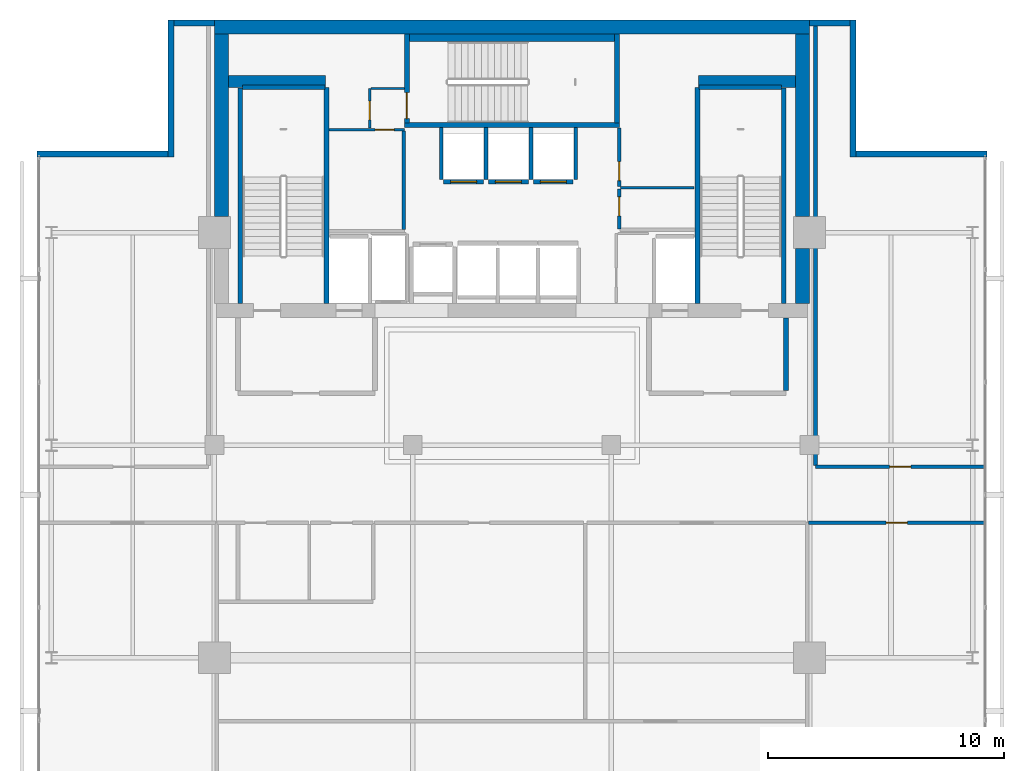
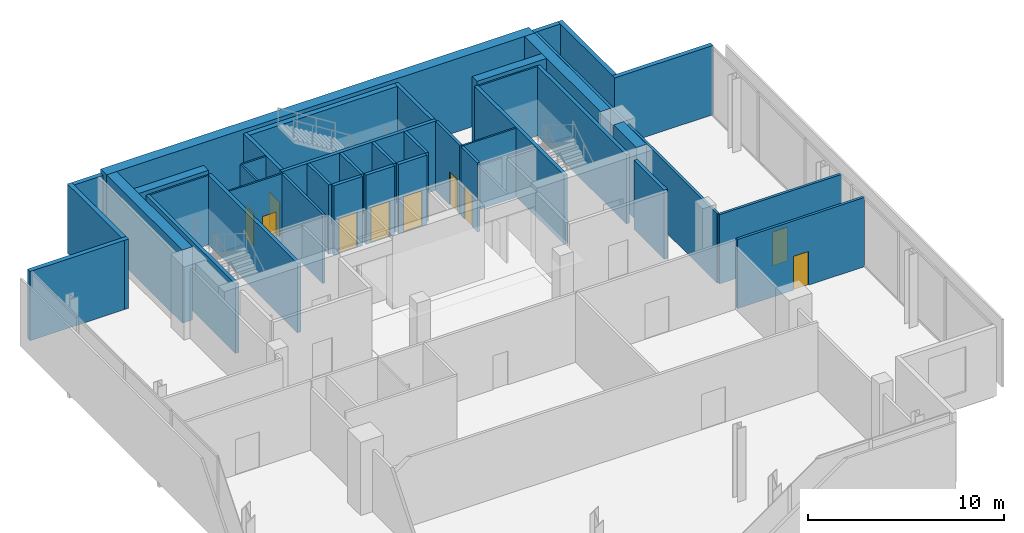
# One storey, part 18 of 23: 40 walls, 10 doors, 10 openings.
"""IFC4 building model written with IfcOpenShell, lengths in metres."""

import ifcopenshell
import ifcopenshell.guid

model = None  # the IFC model being written
_history = None  # IfcOwnerHistory: only IFC2X3 demands one
_inside = {}  # id of a spatial element -> (the spatial element, [elements in it])
_under = {}  # id of a project, library or spatial element -> (it, [spatial elements below it])
_declared = {}  # id of a project -> (the project, [libraries it declares])
_typed = {}  # id of a type object -> (the type object, [elements of that type])
_made_of = {}  # id of a material, layer set ... -> (it, [elements and type objects made of it])


def new_model(schema):
    """Start an empty IFC model of exactly this schema.

    Asked for "IFC4X3", IfcOpenShell would pick the latest addendum, in which some entities
    have other attributes; the version numbers below select the first issue.
    IFC2X3 requires an IfcOwnerHistory on every rooted entity: one is made here for all.
    """
    global model, _history
    if schema == "IFC4X3":
        model = ifcopenshell.file(schema_version=(4, 3, 0, 0))
    else:
        model = ifcopenshell.file(schema=schema)
    _inside.clear()
    _under.clear()
    _declared.clear()
    _typed.clear()
    _made_of.clear()
    _history = None
    if model.schema == "IFC2X3":
        org = make("IfcOrganization", Name="unknown")
        user = make(
            "IfcPersonAndOrganization",
            ThePerson=make("IfcPerson", FamilyName="unknown"),
            TheOrganization=org,
        )
        app = make(
            "IfcApplication",
            ApplicationDeveloper=org,
            Version="unknown",
            ApplicationFullName="unknown",
            ApplicationIdentifier="unknown",
        )
        _history = make(
            "IfcOwnerHistory",
            OwningUser=user,
            OwningApplication=app,
            ChangeAction="ADDED",
            CreationDate=0,
        )
    return model


def make(cls, **values):
    """One entity of the class cls with the attributes given. An attribute that is None is left unset."""
    return model.create_entity(
        cls, **{name: value for name, value in values.items() if value is not None}
    )


def rooted(cls, **values):
    """An entity with a GlobalId (a new one), such as an element, a storey or a relation."""
    return make(cls, GlobalId=ifcopenshell.guid.new(), OwnerHistory=_history, **values)


def si_unit(unit_type, name, prefix=None):
    """IfcSIUnit, for example si_unit("LENGTHUNIT", "METRE", prefix="MILLI")."""
    return make("IfcSIUnit", UnitType=unit_type, Prefix=prefix, Name=name)


def assignment(units):
    """IfcUnitAssignment: the units of a project."""
    return None if units is None else make("IfcUnitAssignment", Units=units)


def point(xyz):
    """IfcCartesianPoint."""
    return None if xyz is None else make("IfcCartesianPoint", Coordinates=xyz)


def direction(xyz):
    """IfcDirection."""
    return None if xyz is None else make("IfcDirection", DirectionRatios=xyz)


def frame(location, z_axis=None, x_axis=None):
    """IfcAxis2Placement3D, a coordinate frame: its origin and axes. An axis left out is left unset."""
    return make(
        "IfcAxis2Placement3D",
        Location=point(location),
        Axis=direction(z_axis),
        RefDirection=direction(x_axis),
    )


def frame_2d(location, x_axis=None):
    """IfcAxis2Placement2D, a coordinate frame in the plane: its origin and x axis."""
    return make(
        "IfcAxis2Placement2D", Location=point(location), RefDirection=direction(x_axis)
    )


def origin():
    """The frame at (0, 0, 0) with its axes left unset."""
    return frame((0.0, 0.0, 0.0))


def place(relative_to, where):
    """IfcLocalPlacement: puts the frame where relative to a parent placement (None: the world)."""
    return make(
        "IfcLocalPlacement", PlacementRelTo=relative_to, RelativePlacement=where
    )


def context(
    kind, dimensions, precision=None, world=None, true_north=None, identifier=None
):
    """IfcGeometricRepresentationContext, for example the 3D "Model" context."""
    return make(
        "IfcGeometricRepresentationContext",
        ContextIdentifier=identifier,
        ContextType=kind,
        CoordinateSpaceDimension=dimensions,
        Precision=precision,
        WorldCoordinateSystem=world,
        TrueNorth=true_north,
    )


def subcontext(parent, identifier, kind, view, scale=None):
    """IfcGeometricRepresentationSubContext, for example "Body" below "Model"."""
    return make(
        "IfcGeometricRepresentationSubContext",
        ContextIdentifier=identifier,
        ContextType=kind,
        ParentContext=parent,
        TargetScale=scale,
        TargetView=view,
    )


def project(units=None, contexts=None):
    """IfcProject with its units and contexts."""
    return rooted(
        "IfcProject",
        Name="project",
        RepresentationContexts=contexts,
        UnitsInContext=assignment(units),
    )


def spatial(cls, under=None, at=None, **own):
    """A site, building, storey or space (cls), placed at a placement, below another one or the project."""
    s = rooted(cls, ObjectPlacement=at, **own)
    if under is not None:
        _under.setdefault(under.id(), (under, []))[1].append(s)
    return s


def profile(cls, at=None, kind="AREA", **sizes):
    """A parametric profile (cls). Its sizes go by their IFC names, for example OverallWidth=200.0."""
    return make(cls, ProfileType=kind, Position=at, **sizes)


def rectangle(**sizes):
    """IfcRectangleProfileDef."""
    return profile("IfcRectangleProfileDef", **sizes)


def extrude(swept, where, along, depth):
    """IfcExtrudedAreaSolid: the profile swept, set in the frame where, extruded along a direction by depth."""
    return make(
        "IfcExtrudedAreaSolid",
        SweptArea=swept,
        Position=where,
        ExtrudedDirection=direction(along),
        Depth=depth,
    )


def shape(context_of_items, identifier, shape_type, items):
    """IfcShapeRepresentation: the items that make up one representation, for example the "Body"."""
    return make(
        "IfcShapeRepresentation",
        ContextOfItems=context_of_items,
        RepresentationIdentifier=identifier,
        RepresentationType=shape_type,
        Items=items,
    )


def material(Name=None, Category=None):
    """IfcMaterial."""
    return make("IfcMaterial", Name=Name, Category=Category)


def layer(
    of_material, thickness, ventilated=None, Name=None, Category=None, Priority=None
):
    """IfcMaterialLayer: one layer of a wall or slab, of a material (None: an air gap)."""
    return make(
        "IfcMaterialLayer",
        Material=of_material,
        LayerThickness=thickness,
        IsVentilated=ventilated,
        Name=Name,
        Category=Category,
        Priority=Priority,
    )


def layer_set(layers, Name=None):
    """IfcMaterialLayerSet."""
    return make("IfcMaterialLayerSet", MaterialLayers=layers, LayerSetName=Name)


def made_of(thing, what):
    """Note that an element or type object is made of a material, layer set ...; save() writes the relation."""
    if what is not None:
        _made_of.setdefault(what.id(), (what, []))[1].append(thing)
    return thing


def type_object(cls, material=None, **own):
    """A type object (cls), such as IfcWallType, which elements share."""
    return made_of(rooted(cls, **own), material)


def element(
    cls,
    number,
    at=None,
    inside=None,
    cuts=None,
    type_object=None,
    material=None,
    context=None,
    identifier="Body",
    shape_type=None,
    held_by="IfcProductDefinitionShape",
    body=None,
    shapes=None,
    **own,
):
    """One element of the class cls, such as IfcWall. Its Tag is "e" and its number.

    at: its placement. inside: the storey or other place that contains it. cuts: it is an
    opening in that element (IfcRelVoidsElement). A single representation is given by context,
    identifier, shape_type and body (its items); several are given by shapes. held_by: the class
    of the entity that holds the representations. save() writes the other relations.
    """
    e = rooted(cls, Tag="e%d" % number, ObjectPlacement=at, **own)
    if body is not None:
        shapes = [shape(context, identifier, shape_type, body)]
    if shapes is not None:
        e.Representation = make(held_by, Representations=shapes)
    if inside is not None:
        _inside.setdefault(inside.id(), (inside, []))[1].append(e)
    if cuts is not None:
        rooted(
            "IfcRelVoidsElement", RelatingBuildingElement=cuts, RelatedOpeningElement=e
        )
    if type_object is not None:
        _typed.setdefault(type_object.id(), (type_object, []))[1].append(e)
    return made_of(e, material)


def fill(opening, filler):
    """IfcRelFillsElement: the door or window that sits in an opening."""
    return rooted(
        "IfcRelFillsElement",
        RelatingOpeningElement=opening,
        RelatedBuildingElement=filler,
    )


def aggregate(whole, parts):
    """IfcRelAggregates: a whole, such as a stair, and the parts it consists of."""
    return rooted("IfcRelAggregates", RelatingObject=whole, RelatedObjects=parts)


def save(model, path):
    """Write the relations noted so far, then the file.

    IfcRelAggregates (storeys below a building ...), IfcRelContainedInSpatialStructure (elements
    in a storey), IfcRelDefinesByType, IfcRelAssociatesMaterial and IfcRelDeclares: one each for
    every whole, place, type object, material and project.
    """
    for whole, parts in _under.values():
        aggregate(whole, parts)
    for where, things in _inside.values():
        rooted(
            "IfcRelContainedInSpatialStructure",
            RelatedElements=things,
            RelatingStructure=where,
        )
    for kind, things in _typed.values():
        rooted("IfcRelDefinesByType", RelatedObjects=things, RelatingType=kind)
    for what, things in _made_of.values():
        rooted("IfcRelAssociatesMaterial", RelatedObjects=things, RelatingMaterial=what)
    for by, libraries in _declared.values():
        rooted("IfcRelDeclares", RelatingContext=by, RelatedDefinitions=libraries)
    model.write(path)


model = new_model("IFC4")

# Units and contexts
model_context = context("Model", 3, precision=1e-05, world=origin(), true_north=direction((0.0, 1.0)))
body_context = subcontext(model_context, "Body", "Model", "MODEL_VIEW")
ifc_project = project(units=[si_unit("LENGTHUNIT", "METRE"), si_unit("AREAUNIT", "SQUARE_METRE"), si_unit("VOLUMEUNIT", "CUBIC_METRE"), si_unit("PLANEANGLEUNIT", "RADIAN"), si_unit("MASSUNIT", "GRAM", prefix="KILO")], contexts=[model_context])

# Site, building, storey
site_placement = place(None, origin())
site = spatial("IfcSite", under=ifc_project, at=site_placement, CompositionType="ELEMENT")
building_placement = place(site_placement, origin())
building = spatial("IfcBuilding", under=site, at=building_placement, Name="Maruvema Waterfront Hotel and Observation Tower", CompositionType="ELEMENT")
storey_placement = place(building_placement, frame((0.0, 0.0, 345.10009765625)))
storey = spatial("IfcBuildingStorey", under=building, at=storey_placement, Name="L85", CompositionType="ELEMENT", Elevation=345.10009765625)

# Wall
ifc_material_1 = material(Name="Twin-stud acoustic gypsum drywall", Category="gypsum")
ifc_layer_1 = layer(ifc_material_1, 0.14990234375, Name="Acoustic Corridor and Suite Demising Wall 150 mm")
ifc_layer_set_1 = layer_set([ifc_layer_1], Name="Twin-stud acoustic gypsum drywall")
wall_type_1 = type_object("IfcWallType", Name="Acoustic Corridor and Suite Demising Wall 150 mm", PredefinedType="PARTITIONING", material=ifc_layer_set_1)
wall_1_placement = place(storey_placement, frame((33.219970703125, 45.139892578125, 0.0), z_axis=(0.0, 0.0, 1.0), x_axis=(0.0, 1.0, 0.0)))
element("IfcWall", 1, at=wall_1_placement, inside=storey, type_object=wall_type_1, Name="L85 Freed B1 East Wall 013", PredefinedType="PARTITIONING", context=body_context, shape_type="SweptSolid", body=[
    extrude(rectangle(XDim=4.16015625, YDim=0.14990234375, at=frame_2d((2.080078125, 0.0))), origin(), (0.0, 0.0, 1.0), 4.309814453125),
])

# Wall, opening, door
wall_2_placement = place(storey_placement, frame((42.340087890625, 45.159912109375, 0.0), z_axis=(0.0, 0.0, 1.0), x_axis=(0.0, 1.0, 0.0)))
wall_2 = element("IfcWall", 2, at=wall_2_placement, inside=storey, type_object=wall_type_1, Name="L85 Freed B2 West S 017", PredefinedType="PARTITIONING", context=body_context, shape_type="SweptSolid", body=[
    extrude(rectangle(XDim=1.68017578125, YDim=0.14990234375, at=frame_2d((0.840087890625, 0.0))), origin(), (0.0, 0.0, 1.0), 4.309814453125),
])
opening_1_placement = place(wall_2_placement, frame((0.550048828125, 0.0, 0.0)))
opening_1 = element("IfcOpeningElement", 3, at=opening_1_placement, cuts=wall_2, Name="Opening DR-080", PredefinedType="OPENING", context=body_context, shape_type="SweptSolid", body=[
    extrude(rectangle(XDim=0.800048828125, YDim=2.050048828125, at=frame_2d((0.39990234375, 1.02490234375))), frame((0.0, 0.0849609375, 0.0), z_axis=(0.0, -1.0, 0.0), x_axis=(1.0, 0.0, 0.0)), (0.0, 0.0, 1.0), 0.169921875),
])
ifc_material_2 = material(Name="Powder-coated steel access leaf", Category="steel")
door_type_1 = type_object("IfcDoorType", Name="Riser and Service Cupboard Door 800x2050 mm", OperationType="NOTDEFINED", PredefinedType="DOOR", material=ifc_material_2)
door_1_placement = place(opening_1_placement, frame((0.800048828125, 0.0, 0.0), z_axis=(0.0, 0.0, 1.0), x_axis=(-1.0, 0.0, 0.0)))
door_1 = element("IfcDoor", 4, at=door_1_placement, inside=storey, type_object=door_type_1, Name="L85 Butler Service Pantry Door", OperationType="SINGLE_SWING_RIGHT", OverallHeight=2.050048828125, OverallWidth=0.800048828125, PredefinedType="DOOR", context=body_context, shape_type="SweptSolid", body=[
    extrude(rectangle(XDim=0.800048828125, YDim=2.050048828125, at=frame_2d((0.39990234375, 1.02490234375))), frame((0.0, 0.02490234375, 0.0), z_axis=(0.0, -1.0, 0.0), x_axis=(1.0, 0.0, 0.0)), (0.0, 0.0, 1.0), 0.050048828125),
])
fill(opening_1, door_1)

wall_3_placement = place(storey_placement, frame((42.340087890625, 46.9599609375, 0.0), z_axis=(0.0, 0.0, 1.0), x_axis=(0.0, 1.0, 0.0)))
wall_3 = element("IfcWall", 5, at=wall_3_placement, inside=storey, type_object=wall_type_1, Name="L85 Freed B2 West N 018", PredefinedType="PARTITIONING", context=body_context, shape_type="SweptSolid", body=[
    extrude(rectangle(XDim=2.4599609375, YDim=0.14990234375, at=frame_2d((1.22998046875, 0.0))), origin(), (0.0, 0.0, 1.0), 4.309814453125),
])
opening_2_placement = place(wall_3_placement, frame((0.239990234375, 0.0, 0.0)))
opening_2 = element("IfcOpeningElement", 6, at=opening_2_placement, cuts=wall_3, Name="Opening DR-080", PredefinedType="OPENING", context=body_context, shape_type="SweptSolid", body=[
    extrude(rectangle(XDim=0.800048828125, YDim=2.050048828125, at=frame_2d((0.39990234375, 1.02490234375))), frame((0.0, 0.0849609375, 0.0), z_axis=(0.0, -1.0, 0.0), x_axis=(1.0, 0.0, 0.0)), (0.0, 0.0, 1.0), 0.169921875),
])
door_2_placement = place(opening_2_placement, frame((0.800048828125, 0.0, 0.0), z_axis=(0.0, 0.0, 1.0), x_axis=(-1.0, 0.0, 0.0)))
door_2 = element("IfcDoor", 7, at=door_2_placement, inside=storey, type_object=door_type_1, Name="L85 Core IT and Linen Store Door", OperationType="SINGLE_SWING_LEFT", OverallHeight=2.050048828125, OverallWidth=0.800048828125, PredefinedType="DOOR", context=body_context, shape_type="SweptSolid", body=[
    extrude(rectangle(XDim=0.800048828125, YDim=2.050048828125, at=frame_2d((0.39990234375, 1.02490234375))), frame((0.0, 0.02490234375, 0.0), z_axis=(0.0, -1.0, 0.0), x_axis=(1.0, 0.0, 0.0)), (0.0, 0.0, 1.0), 0.050048828125),
])
fill(opening_2, door_2)

wall_4_placement = place(storey_placement, frame((50.35009765625, 32.719970703125, 0.0), z_axis=(0.0, 0.0, 1.0), x_axis=(1.0, 0.0, 0.0)))
wall_4 = element("IfcWall", 8, at=wall_4_placement, inside=storey, type_object=wall_type_1, Name="L85 L85 Show Kitchen North 034", PredefinedType="PARTITIONING", context=body_context, shape_type="SweptSolid", body=[
    extrude(rectangle(XDim=7.469970703125, YDim=0.14990234375, at=frame_2d((3.73486328125, 0.0))), origin(), (0.0, 0.0, 1.0), 4.309814453125),
])
opening_3_placement = place(wall_4_placement, frame((3.284912109375, 0.0, 0.0)))
opening_3 = element("IfcOpeningElement", 9, at=opening_3_placement, cuts=wall_4, Name="Opening DR-090", PredefinedType="OPENING", context=body_context, shape_type="SweptSolid", body=[
    extrude(rectangle(XDim=0.89990234375, YDim=2.10009765625, at=frame_2d((0.449951171875, 1.050048828125))), frame((0.0, 0.0849609375, 0.0), z_axis=(0.0, -1.0, 0.0), x_axis=(1.0, 0.0, 0.0)), (0.0, 0.0, 1.0), 0.169921875),
])
ifc_material_3 = material(Name="Solid-core lacquered timber leaf", Category="wood")
door_type_2 = type_object("IfcDoorType", Name="Accessible Toilet and Room Door 900x2100 mm", OperationType="NOTDEFINED", PredefinedType="DOOR", material=ifc_material_3)
door_3_placement = place(opening_3_placement, origin())
door_3 = element("IfcDoor", 10, at=door_3_placement, inside=storey, type_object=door_type_2, Name="L85 Show Kitchen Door", OperationType="SINGLE_SWING_LEFT", OverallHeight=2.10009765625, OverallWidth=0.89990234375, PredefinedType="DOOR", context=body_context, shape_type="SweptSolid", body=[
    extrude(rectangle(XDim=0.89990234375, YDim=2.10009765625, at=frame_2d((0.449951171875, 1.050048828125))), frame((0.0, 0.02490234375, 0.0), z_axis=(0.0, -1.0, 0.0), x_axis=(1.0, 0.0, 0.0)), (0.0, 0.0, 1.0), 0.050048828125),
])
fill(opening_3, door_3)

wall_5_placement = place(storey_placement, frame((50.64990234375, 35.080078125, 0.0), z_axis=(0.0, 0.0, 1.0), x_axis=(1.0, 0.0, 0.0)))
wall_5 = element("IfcWall", 11, at=wall_5_placement, inside=storey, type_object=wall_type_1, Name="L85 L85 Larder South 037", PredefinedType="PARTITIONING", context=body_context, shape_type="SweptSolid", body=[
    extrude(rectangle(XDim=7.170166015625, YDim=0.14990234375, at=frame_2d((3.5849609375, 0.0))), origin(), (0.0, 0.0, 1.0), 4.309814453125),
])
opening_4_placement = place(wall_5_placement, frame((3.135009765625, 0.0, 0.0)))
opening_4 = element("IfcOpeningElement", 12, at=opening_4_placement, cuts=wall_5, Name="Opening DR-090", PredefinedType="OPENING", context=body_context, shape_type="SweptSolid", body=[
    extrude(rectangle(XDim=0.89990234375, YDim=2.10009765625, at=frame_2d((0.449951171875, 1.050048828125))), frame((0.0, 0.0849609375, 0.0), z_axis=(0.0, -1.0, 0.0), x_axis=(1.0, 0.0, 0.0)), (0.0, 0.0, 1.0), 0.169921875),
])
door_4_placement = place(opening_4_placement, frame((0.89990234375, 0.0, 0.0), z_axis=(0.0, 0.0, 1.0), x_axis=(-1.0, 0.0, 0.0)))
door_4 = element("IfcDoor", 13, at=door_4_placement, inside=storey, type_object=door_type_2, Name="L85 Larder Kitchen Door", OperationType="SINGLE_SWING_LEFT", OverallHeight=2.10009765625, OverallWidth=0.89990234375, PredefinedType="DOOR", context=body_context, shape_type="SweptSolid", body=[
    extrude(rectangle(XDim=0.89990234375, YDim=2.10009765625, at=frame_2d((0.449951171875, 1.050048828125))), frame((0.0, 0.02490234375, 0.0), z_axis=(0.0, -1.0, 0.0), x_axis=(1.0, 0.0, 0.0)), (0.0, 0.0, 1.0), 0.050048828125),
])
fill(opening_4, door_4)

# Walls
wall_6_placement = place(storey_placement, frame((50.64990234375, 35.139892578125, 0.0), z_axis=(0.0, 0.0, 1.0), x_axis=(0.0, 1.0, 0.0)))
element("IfcWall", 14, at=wall_6_placement, inside=storey, type_object=wall_type_1, Name="L85 L85 Larder West 038", PredefinedType="PARTITIONING", context=body_context, shape_type="SweptSolid", body=[
    extrude(rectangle(XDim=18.780029296875, YDim=0.14990234375, at=frame_2d((9.39013671875, 0.0))), origin(), (0.0, 0.0, 1.0), 4.309814453125),
])
ifc_material_4 = material(Name="Precast concrete C45/55", Category="concrete")
ifc_layer_2 = layer(ifc_material_4, 0.300048828125, Name="Core Shaft Furring Wall 300 mm")
ifc_layer_set_2 = layer_set([ifc_layer_2], Name="Precast concrete C45/55")
wall_type_2 = type_object("IfcWallType", Name="Core Shaft Furring Wall 300 mm", PredefinedType="SOLIDWALL", material=ifc_layer_set_2)
wall_7_placement = place(storey_placement, frame((33.449951171875, 53.25, 0.0), z_axis=(0.0, 0.0, 1.0), x_axis=(1.0, 0.0, 0.0)))
element("IfcWall", 15, at=wall_7_placement, inside=storey, type_object=wall_type_2, Name="L85 Stairwell ST-02 North Furring Wall", PredefinedType="SOLIDWALL", context=body_context, shape_type="SweptSolid", body=[
    extrude(rectangle(XDim=8.699951171875, YDim=0.300048828125, at=frame_2d((4.35009765625, 0.0))), origin(), (0.0, 0.0, 1.0), 4.309814453125),
])
ifc_material_5 = material(Name="Precast concrete C45/55", Category="concrete")
ifc_layer_3 = layer(ifc_material_5, 0.199951171875, Name="Core Shaft and Stairwell Enclosure Wall 200 mm")
ifc_layer_set_3 = layer_set([ifc_layer_3], Name="Precast concrete C45/55")
wall_type_3 = type_object("IfcWallType", Name="Core Shaft and Stairwell Enclosure Wall 200 mm", PredefinedType="SOLIDWALL", material=ifc_layer_set_3)
wall_8_placement = place(storey_placement, frame((29.949951171875, 42.0, 0.0), z_axis=(0.0, 0.0, 1.0), x_axis=(0.0, 1.0, 0.0)))
element("IfcWall", 16, at=wall_8_placement, inside=storey, type_object=wall_type_3, Name="L85 Stairwell ST-01 East Shaft Wall", PredefinedType="SOLIDWALL", context=body_context, shape_type="SweptSolid", body=[
    extrude(rectangle(XDim=9.14990234375, YDim=0.199951171875, at=frame_2d((4.574951171875, 0.0))), origin(), (0.0, 0.0, 1.0), 4.309814453125),
])
wall_9_placement = place(storey_placement, frame((26.300048828125, 42.0, 0.0), z_axis=(0.0, 0.0, 1.0), x_axis=(0.0, 1.0, 0.0)))
element("IfcWall", 17, at=wall_9_placement, inside=storey, type_object=wall_type_3, Name="L85 Stairwell ST-01 Shaft Lining Wall", PredefinedType="SOLIDWALL", context=body_context, shape_type="SweptSolid", body=[
    extrude(rectangle(XDim=9.1201171875, YDim=0.199951171875, at=frame_2d((4.56005859375, 0.0))), origin(), (0.0, 0.0, 1.0), 4.309814453125),
])
wall_10_placement = place(storey_placement, frame((26.3798828125, 51.14990234375, 0.0), z_axis=(0.0, 0.0, 1.0), x_axis=(1.0, 0.0, 0.0)))
element("IfcWall", 18, at=wall_10_placement, inside=storey, type_object=wall_type_3, Name="L85 Stairwell ST-01 Shaft Lining Wall", PredefinedType="SOLIDWALL", context=body_context, shape_type="SweptSolid", body=[
    extrude(rectangle(XDim=3.5, YDim=0.199951171875, at=frame_2d((1.75, 0.0))), origin(), (0.0, 0.0, 1.0), 4.309814453125),
])
wall_11_placement = place(storey_placement, frame((33.25, 49.550048828125, 0.0), z_axis=(0.0, 0.0, 1.0), x_axis=(1.0, 0.0, 0.0)))
element("IfcWall", 19, at=wall_11_placement, inside=storey, type_object=wall_type_3, Name="L85 Stairwell ST-02 Shaft Wall", PredefinedType="SOLIDWALL", context=body_context, shape_type="SweptSolid", body=[
    extrude(rectangle(XDim=9.10009765625, YDim=0.199951171875, at=frame_2d((4.550048828125, 0.0))), origin(), (0.0, 0.0, 1.0), 4.309814453125),
])
wall_12_placement = place(storey_placement, frame((42.25, 49.64990234375, 0.0), z_axis=(0.0, 0.0, 1.0), x_axis=(0.0, 1.0, 0.0)))
element("IfcWall", 20, at=wall_12_placement, inside=storey, type_object=wall_type_3, Name="L85 Stairwell ST-02 Shaft Wall", PredefinedType="SOLIDWALL", context=body_context, shape_type="SweptSolid", body=[
    extrude(rectangle(XDim=3.75, YDim=0.199951171875, at=frame_2d((1.875, 0.0))), origin(), (0.0, 0.0, 1.0), 4.309814453125),
])

# Wall, opening, door
wall_13_placement = place(storey_placement, frame((33.35009765625, 49.64990234375, 0.0), z_axis=(0.0, 0.0, 1.0), x_axis=(0.0, 1.0, 0.0)))
wall_13 = element("IfcWall", 21, at=wall_13_placement, inside=storey, type_object=wall_type_3, Name="L85 Stairwell ST-02 Shaft Wall", PredefinedType="SOLIDWALL", context=body_context, shape_type="SweptSolid", body=[
    extrude(rectangle(XDim=3.75, YDim=0.199951171875, at=frame_2d((1.875, 0.0))), origin(), (0.0, 0.0, 1.0), 4.309814453125),
])
opening_5_placement = place(wall_13_placement, frame((0.179931640625, 0.0, 0.0)))
opening_5 = element("IfcOpeningElement", 22, at=opening_5_placement, cuts=wall_13, Name="Opening SD-02", PredefinedType="OPENING", context=body_context, shape_type="SweptSolid", body=[
    extrude(rectangle(XDim=1.10009765625, YDim=2.14990234375, at=frame_2d((0.550048828125, 1.074951171875))), frame((0.0, 0.10986328125, 0.0), z_axis=(0.0, -1.0, 0.0), x_axis=(1.0, 0.0, 0.0)), (0.0, 0.0, 1.0), 0.219970703125),
])
ifc_material_6 = material(Name="Fire-rated galvanised steel leaf", Category="steel")
door_type_3 = type_object("IfcDoorType", Name="Central Exit Stair Fire Door 1100x2150 mm", OperationType="NOTDEFINED", PredefinedType="DOOR", material=ifc_material_6)
door_5_placement = place(opening_5_placement, frame((1.10009765625, 0.0, 0.0), z_axis=(0.0, 0.0, 1.0), x_axis=(-1.0, 0.0, 0.0)))
door_5 = element("IfcDoor", 23, at=door_5_placement, inside=storey, type_object=door_type_3, Name="L85 Exit Stair ST-02 Fire Door", OperationType="SINGLE_SWING_LEFT", OverallHeight=2.14990234375, OverallWidth=1.10009765625, PredefinedType="DOOR", context=body_context, shape_type="SweptSolid", body=[
    extrude(rectangle(XDim=1.10009765625, YDim=2.14990234375, at=frame_2d((0.550048828125, 1.074951171875))), frame((0.0, 0.02490234375, 0.0), z_axis=(0.0, -1.0, 0.0), x_axis=(1.0, 0.0, 0.0)), (0.0, 0.0, 1.0), 0.050048828125),
])
fill(opening_5, door_5)

# Walls
wall_14_placement = place(storey_placement, frame((45.64990234375, 42.0, 0.0), z_axis=(0.0, 0.0, 1.0), x_axis=(0.0, 1.0, 0.0)))
element("IfcWall", 24, at=wall_14_placement, inside=storey, type_object=wall_type_3, Name="L85 Stairwell ST-03 West Shaft Wall", PredefinedType="SOLIDWALL", context=body_context, shape_type="SweptSolid", body=[
    extrude(rectangle(XDim=9.14990234375, YDim=0.199951171875, at=frame_2d((4.574951171875, 0.0))), origin(), (0.0, 0.0, 1.0), 4.309814453125),
])
wall_15_placement = place(storey_placement, frame((49.300048828125, 42.0, 0.0), z_axis=(0.0, 0.0, 1.0), x_axis=(0.0, 1.0, 0.0)))
element("IfcWall", 25, at=wall_15_placement, inside=storey, type_object=wall_type_3, Name="L85 Stairwell ST-03 Shaft Lining Wall", PredefinedType="SOLIDWALL", context=body_context, shape_type="SweptSolid", body=[
    extrude(rectangle(XDim=9.1201171875, YDim=0.199951171875, at=frame_2d((4.56005859375, 0.0))), origin(), (0.0, 0.0, 1.0), 4.309814453125),
])
wall_16_placement = place(storey_placement, frame((45.719970703125, 51.14990234375, 0.0), z_axis=(0.0, 0.0, 1.0), x_axis=(1.0, 0.0, 0.0)))
element("IfcWall", 26, at=wall_16_placement, inside=storey, type_object=wall_type_3, Name="L85 Stairwell ST-03 Shaft Lining Wall", PredefinedType="SOLIDWALL", context=body_context, shape_type="SweptSolid", body=[
    extrude(rectangle(XDim=3.5, YDim=0.199951171875, at=frame_2d((1.75, 0.0))), origin(), (0.0, 0.0, 1.0), 4.309814453125),
])

# Wall, opening, door
wall_17_placement = place(storey_placement, frame((34.909912109375, 47.14990234375, 0.0), z_axis=(0.0, 0.0, 1.0), x_axis=(1.0, 0.0, 0.0)))
wall_17 = element("IfcWall", 27, at=wall_17_placement, inside=storey, type_object=wall_type_3, Name="L85 Lift LF-12 Hoistway Front Wall", PredefinedType="SOLIDWALL", context=body_context, shape_type="SweptSolid", body=[
    extrude(rectangle(XDim=1.68017578125, YDim=0.199951171875, at=frame_2d((0.840087890625, 0.0))), origin(), (0.0, 0.0, 1.0), 4.309814453125),
])
opening_6_placement = place(wall_17_placement, frame((0.2900390625, 0.0, 0.0)))
opening_6 = element("IfcOpeningElement", 28, at=opening_6_placement, cuts=wall_17, Name="Opening LD-02", PredefinedType="OPENING", context=body_context, shape_type="SweptSolid", body=[
    extrude(rectangle(XDim=1.10009765625, YDim=2.199951171875, at=frame_2d((0.550048828125, 1.10009765625))), frame((0.0, 0.10986328125, 0.0), z_axis=(0.0, -1.0, 0.0), x_axis=(1.0, 0.0, 0.0)), (0.0, 0.0, 1.0), 0.219970703125),
])
ifc_material_7 = material(Name="Brushed stainless steel Grade 316", Category="steel")
door_type_4 = type_object("IfcDoorType", Name="Shuttle Lift Sliding Landing Door 1100x2200 mm", OperationType="SLIDING_TO_RIGHT", PredefinedType="DOOR", material=ifc_material_7)
door_6_placement = place(opening_6_placement, frame((1.10009765625, 0.0, 0.0), z_axis=(0.0, 0.0, 1.0), x_axis=(-1.0, 0.0, 0.0)))
door_6 = element("IfcDoor", 29, at=door_6_placement, inside=storey, type_object=door_type_4, Name="L85 Lift LF-12 Sliding Landing Door", OperationType="SLIDING_TO_RIGHT", OverallHeight=2.199951171875, OverallWidth=1.10009765625, PredefinedType="DOOR", context=body_context, shape_type="SweptSolid", body=[
    extrude(rectangle(XDim=1.10009765625, YDim=2.199951171875, at=frame_2d((0.550048828125, 1.10009765625))), frame((0.0, 0.02490234375, 0.0), z_axis=(0.0, -1.0, 0.0), x_axis=(1.0, 0.0, 0.0)), (0.0, 0.0, 1.0), 0.050048828125),
])
fill(opening_6, door_6)

wall_18_placement = place(storey_placement, frame((36.81005859375, 47.14990234375, 0.0), z_axis=(0.0, 0.0, 1.0), x_axis=(1.0, 0.0, 0.0)))
wall_18 = element("IfcWall", 30, at=wall_18_placement, inside=storey, type_object=wall_type_3, Name="L85 Lift LF-13 Hoistway Front Wall", PredefinedType="SOLIDWALL", context=body_context, shape_type="SweptSolid", body=[
    extrude(rectangle(XDim=1.679931640625, YDim=0.199951171875, at=frame_2d((0.83984375, 0.0))), origin(), (0.0, 0.0, 1.0), 4.309814453125),
])
opening_7_placement = place(wall_18_placement, frame((0.2900390625, 0.0, 0.0)))
opening_7 = element("IfcOpeningElement", 31, at=opening_7_placement, cuts=wall_18, Name="Opening LD-02", PredefinedType="OPENING", context=body_context, shape_type="SweptSolid", body=[
    extrude(rectangle(XDim=1.10009765625, YDim=2.199951171875, at=frame_2d((0.550048828125, 1.10009765625))), frame((0.0, 0.10986328125, 0.0), z_axis=(0.0, -1.0, 0.0), x_axis=(1.0, 0.0, 0.0)), (0.0, 0.0, 1.0), 0.219970703125),
])
door_7_placement = place(opening_7_placement, frame((1.10009765625, 0.0, 0.0), z_axis=(0.0, 0.0, 1.0), x_axis=(-1.0, 0.0, 0.0)))
door_7 = element("IfcDoor", 32, at=door_7_placement, inside=storey, type_object=door_type_4, Name="L85 Lift LF-13 Sliding Landing Door", OperationType="SLIDING_TO_RIGHT", OverallHeight=2.199951171875, OverallWidth=1.10009765625, PredefinedType="DOOR", context=body_context, shape_type="SweptSolid", body=[
    extrude(rectangle(XDim=1.10009765625, YDim=2.199951171875, at=frame_2d((0.550048828125, 1.10009765625))), frame((0.0, 0.02490234375, 0.0), z_axis=(0.0, -1.0, 0.0), x_axis=(1.0, 0.0, 0.0)), (0.0, 0.0, 1.0), 0.050048828125),
])
fill(opening_7, door_7)

wall_19_placement = place(storey_placement, frame((38.7099609375, 47.14990234375, 0.0), z_axis=(0.0, 0.0, 1.0), x_axis=(1.0, 0.0, 0.0)))
wall_19 = element("IfcWall", 33, at=wall_19_placement, inside=storey, type_object=wall_type_3, Name="L85 Lift LF-14 Hoistway Front Wall", PredefinedType="SOLIDWALL", context=body_context, shape_type="SweptSolid", body=[
    extrude(rectangle(XDim=1.679931640625, YDim=0.199951171875, at=frame_2d((0.83984375, 0.0))), origin(), (0.0, 0.0, 1.0), 4.309814453125),
])
opening_8_placement = place(wall_19_placement, frame((0.2900390625, 0.0, 0.0)))
opening_8 = element("IfcOpeningElement", 34, at=opening_8_placement, cuts=wall_19, Name="Opening LD-02", PredefinedType="OPENING", context=body_context, shape_type="SweptSolid", body=[
    extrude(rectangle(XDim=1.10009765625, YDim=2.199951171875, at=frame_2d((0.550048828125, 1.10009765625))), frame((0.0, 0.10986328125, 0.0), z_axis=(0.0, -1.0, 0.0), x_axis=(1.0, 0.0, 0.0)), (0.0, 0.0, 1.0), 0.219970703125),
])
door_8_placement = place(opening_8_placement, frame((1.10009765625, 0.0, 0.0), z_axis=(0.0, 0.0, 1.0), x_axis=(-1.0, 0.0, 0.0)))
door_8 = element("IfcDoor", 35, at=door_8_placement, inside=storey, type_object=door_type_4, Name="L85 Lift LF-14 Sliding Landing Door", OperationType="SLIDING_TO_RIGHT", OverallHeight=2.199951171875, OverallWidth=1.10009765625, PredefinedType="DOOR", context=body_context, shape_type="SweptSolid", body=[
    extrude(rectangle(XDim=1.10009765625, YDim=2.199951171875, at=frame_2d((0.550048828125, 1.10009765625))), frame((0.0, 0.02490234375, 0.0), z_axis=(0.0, -1.0, 0.0), x_axis=(1.0, 0.0, 0.0)), (0.0, 0.0, 1.0), 0.050048828125),
])
fill(opening_8, door_8)

# Walls
ifc_material_8 = material(Name="Concrete C70/85", Category="concrete")
ifc_layer_4 = layer(ifc_material_8, 0.5, Name="Core Shear Wall 500 mm")
ifc_layer_set_4 = layer_set([ifc_layer_4], Name="Concrete C70/85")
wall_type_4 = type_object("IfcWallType", Name="Core Shear Wall 500 mm", PredefinedType="SHEAR", material=ifc_layer_set_4)
wall_20_placement = place(storey_placement, frame((25.800048828125, 51.39990234375, 0.0), z_axis=(0.0, 0.0, 1.0), x_axis=(1.0, 0.0, 0.0)))
element("IfcWall", 36, at=wall_20_placement, inside=storey, type_object=wall_type_4, Name="L85 Internal Core Shear Wall NW 500 mm", PredefinedType="SHEAR", context=body_context, shape_type="SweptSolid", body=[
    extrude(rectangle(XDim=4.099853515625, YDim=0.5, at=frame_2d((2.0498046875, 0.0))), origin(), (0.0, 0.0, 1.0), 4.5498046875),
])
wall_21_placement = place(storey_placement, frame((45.699951171875, 51.39990234375, 0.0), z_axis=(0.0, 0.0, 1.0), x_axis=(1.0, 0.0, 0.0)))
element("IfcWall", 37, at=wall_21_placement, inside=storey, type_object=wall_type_4, Name="L85 Internal Core Shear Wall NE 500 mm", PredefinedType="SHEAR", context=body_context, shape_type="SweptSolid", body=[
    extrude(rectangle(XDim=4.10009765625, YDim=0.5, at=frame_2d((2.050048828125, 0.0))), origin(), (0.0, 0.0, 1.0), 4.5498046875),
])
ifc_material_9 = material(Name="Concrete C60/75", Category="concrete")
ifc_layer_5 = layer(ifc_material_9, 0.60009765625, Name="Core Shear Wall 600 mm")
ifc_layer_set_5 = layer_set([ifc_layer_5], Name="Concrete C60/75")
wall_type_5 = type_object("IfcWallType", Name="Core Shear Wall 600 mm", PredefinedType="SHEAR", material=ifc_layer_set_5)
wall_22_placement = place(storey_placement, frame((25.199951171875, 53.699951171875, 0.0), z_axis=(0.0, 0.0, 1.0), x_axis=(1.0, 0.0, 0.0)))
element("IfcWall", 38, at=wall_22_placement, inside=storey, type_object=wall_type_5, Name="L85 North Core Shear Wall", PredefinedType="SHEAR", context=body_context, shape_type="SweptSolid", body=[
    extrude(rectangle(XDim=25.199951171875, YDim=0.60009765625, at=frame_2d((12.60009765625, 0.0))), origin(), (0.0, 0.0, 1.0), 4.5498046875),
])
wall_23_placement = place(storey_placement, frame((25.5, 45.675048828125, 0.0), z_axis=(0.0, 0.0, 1.0), x_axis=(0.0, 1.0, 0.0)))
element("IfcWall", 39, at=wall_23_placement, inside=storey, type_object=wall_type_5, Name="L85 West-North Core Shear Wall", PredefinedType="SHEAR", context=body_context, shape_type="SweptSolid", body=[
    extrude(rectangle(XDim=7.724853515625, YDim=0.60009765625, at=frame_2d((3.8623046875, 0.0))), origin(), (0.0, 0.0, 1.0), 4.5498046875),
])
wall_24_placement = place(storey_placement, frame((50.10009765625, 42.0, 0.0), z_axis=(0.0, 0.0, 1.0), x_axis=(0.0, 1.0, 0.0)))
element("IfcWall", 40, at=wall_24_placement, inside=storey, type_object=wall_type_5, Name="L85 East-South Core Shear Wall", PredefinedType="SHEAR", context=body_context, shape_type="SweptSolid", body=[
    extrude(rectangle(XDim=2.324951171875, YDim=0.60009765625, at=frame_2d((1.16259765625, 0.0))), origin(), (0.0, 0.0, 1.0), 4.5498046875),
])
wall_25_placement = place(storey_placement, frame((50.10009765625, 45.675048828125, 0.0), z_axis=(0.0, 0.0, 1.0), x_axis=(0.0, 1.0, 0.0)))
element("IfcWall", 41, at=wall_25_placement, inside=storey, type_object=wall_type_5, Name="L85 East-North Core Shear Wall", PredefinedType="SHEAR", context=body_context, shape_type="SweptSolid", body=[
    extrude(rectangle(XDim=7.724853515625, YDim=0.60009765625, at=frame_2d((3.8623046875, 0.0))), origin(), (0.0, 0.0, 1.0), 4.5498046875),
])

# Wall, opening, door
ifc_material_10 = material(Name="Moisture-resistant cement-board drywall", Category="gypsum")
ifc_layer_6 = layer(ifc_material_10, 0.10009765625, Name="En-Suite Moisture-Resistant Partition 100 mm")
ifc_layer_set_6 = layer_set([ifc_layer_6], Name="Moisture-resistant cement-board drywall")
wall_type_6 = type_object("IfcWallType", Name="En-Suite Moisture-Resistant Partition 100 mm", PredefinedType="PARTITIONING", material=ifc_layer_set_6)
wall_26_placement = place(storey_placement, frame((30.06005859375, 49.360107421875, 0.0), z_axis=(0.0, 0.0, 1.0), x_axis=(1.0, 0.0, 0.0)))
wall_26 = element("IfcWall", 42, at=wall_26_placement, inside=storey, type_object=wall_type_6, Name="L85 Freed B1 Mid Wall 014", PredefinedType="PARTITIONING", context=body_context, shape_type="SweptSolid", body=[
    extrude(rectangle(XDim=3.179931640625, YDim=0.10009765625, at=frame_2d((1.58984375, 0.0))), origin(), (0.0, 0.0, 1.0), 4.309814453125),
])
opening_9_placement = place(wall_26_placement, frame((1.949951171875, 0.0, 0.0)))
opening_9 = element("IfcOpeningElement", 43, at=opening_9_placement, cuts=wall_26, Name="Opening DR-080", PredefinedType="OPENING", context=body_context, shape_type="SweptSolid", body=[
    extrude(rectangle(XDim=0.800048828125, YDim=2.050048828125, at=frame_2d((0.39990234375, 1.02490234375))), frame((0.0, 0.06005859375, 0.0), z_axis=(0.0, -1.0, 0.0), x_axis=(1.0, 0.0, 0.0)), (0.0, 0.0, 1.0), 0.1201171875),
])
door_9_placement = place(opening_9_placement, origin())
door_9 = element("IfcDoor", 44, at=door_9_placement, inside=storey, type_object=door_type_1, Name="L85 Housekeeping and Linen Room Door", OperationType="SINGLE_SWING_RIGHT", OverallHeight=2.050048828125, OverallWidth=0.800048828125, PredefinedType="DOOR", context=body_context, shape_type="SweptSolid", body=[
    extrude(rectangle(XDim=0.800048828125, YDim=2.050048828125, at=frame_2d((0.39990234375, 1.02490234375))), frame((0.0, 0.02490234375, 0.0), z_axis=(0.0, -1.0, 0.0), x_axis=(1.0, 0.0, 0.0)), (0.0, 0.0, 1.0), 0.050048828125),
])
fill(opening_9, door_9)

wall_27_placement = place(storey_placement, frame((31.780029296875, 49.419921875, 0.0), z_axis=(0.0, 0.0, 1.0), x_axis=(0.0, 1.0, 0.0)))
wall_27 = element("IfcWall", 45, at=wall_27_placement, inside=storey, type_object=wall_type_6, Name="L85 Freed B1 NW East Wall 015", PredefinedType="PARTITIONING", context=body_context, shape_type="SweptSolid", body=[
    extrude(rectangle(XDim=1.68017578125, YDim=0.10009765625, at=frame_2d((0.840087890625, 0.0))), origin(), (0.0, 0.0, 1.0), 4.309814453125),
])
opening_10_placement = place(wall_27_placement, frame((0.35009765625, 0.0, 0.0)))
opening_10 = element("IfcOpeningElement", 46, at=opening_10_placement, cuts=wall_27, Name="Opening DR-080", PredefinedType="OPENING", context=body_context, shape_type="SweptSolid", body=[
    extrude(rectangle(XDim=0.800048828125, YDim=2.050048828125, at=frame_2d((0.39990234375, 1.02490234375))), frame((0.0, 0.06005859375, 0.0), z_axis=(0.0, -1.0, 0.0), x_axis=(1.0, 0.0, 0.0)), (0.0, 0.0, 1.0), 0.1201171875),
])
door_10_placement = place(opening_10_placement, origin())
door_10 = element("IfcDoor", 47, at=door_10_placement, inside=storey, type_object=door_type_1, Name="L85 Guest Floor Pantry Door", OperationType="SINGLE_SWING_LEFT", OverallHeight=2.050048828125, OverallWidth=0.800048828125, PredefinedType="DOOR", context=body_context, shape_type="SweptSolid", body=[
    extrude(rectangle(XDim=0.800048828125, YDim=2.050048828125, at=frame_2d((0.39990234375, 1.02490234375))), frame((0.0, 0.02490234375, 0.0), z_axis=(0.0, -1.0, 0.0), x_axis=(1.0, 0.0, 0.0)), (0.0, 0.0, 1.0), 0.050048828125),
])
fill(opening_10, door_10)

# Walls
wall_28_placement = place(storey_placement, frame((31.820068359375, 51.10009765625, 0.0), z_axis=(0.0, 0.0, 1.0), x_axis=(1.0, 0.0, 0.0)))
element("IfcWall", 48, at=wall_28_placement, inside=storey, type_object=wall_type_6, Name="L85 Freed B1 Vestibule North Wall 016", PredefinedType="PARTITIONING", context=body_context, shape_type="SweptSolid", body=[
    extrude(rectangle(XDim=1.419921875, YDim=0.10009765625, at=frame_2d((0.7099609375, 0.0))), origin(), (0.0, 0.0, 1.0), 4.309814453125),
])
wall_29_placement = place(storey_placement, frame((42.39990234375, 46.89990234375, 0.0), z_axis=(0.0, 0.0, 1.0), x_axis=(1.0, 0.0, 0.0)))
element("IfcWall", 49, at=wall_29_placement, inside=storey, type_object=wall_type_6, Name="L85 Freed B2 Split 019", PredefinedType="PARTITIONING", context=body_context, shape_type="SweptSolid", body=[
    extrude(rectangle(XDim=3.10009765625, YDim=0.10009765625, at=frame_2d((1.550048828125, 0.0))), origin(), (0.0, 0.0, 1.0), 4.309814453125),
])
ifc_material_11 = material(Name="Precast concrete C45/55 with honed Pernambuco granite facing", Category="masonry")
ifc_layer_7 = layer(ifc_material_11, 0.260009765625, Name="Exterior Granite Clad Spandrel and Pier Wall 260 mm")
ifc_layer_set_7 = layer_set([ifc_layer_7], Name="Precast concrete C45/55 with honed Pernambuco granite facing")
wall_type_7 = type_object("IfcWallType", Name="Exterior Granite Clad Spandrel and Pier Wall 260 mm", PredefinedType="SOLIDWALL", material=ifc_layer_set_7)
wall_30_placement = place(storey_placement, frame((52.22998046875, 54.0, 0.0), z_axis=(0.0, 0.0, 1.0), x_axis=(0.0, -1.0, 0.0)))
element("IfcWall", 50, at=wall_30_placement, inside=storey, type_object=wall_type_7, Name="L85 Corner Notch Granite Pier Wall NE1", PredefinedType="SOLIDWALL", context=body_context, shape_type="SweptSolid", body=[
    extrude(rectangle(XDim=5.800048828125, YDim=0.260009765625, at=frame_2d((2.89990234375, 0.0))), origin(), (0.0, 0.0, 1.0), 4.309814453125),
])
wall_31_placement = place(storey_placement, frame((52.10009765625, 48.330078125, 0.0), z_axis=(0.0, 0.0, 1.0), x_axis=(1.0, 0.0, 0.0)))
element("IfcWall", 51, at=wall_31_placement, inside=storey, type_object=wall_type_7, Name="L85 Corner Notch Granite Pier Wall NE2", PredefinedType="SOLIDWALL", context=body_context, shape_type="SweptSolid", body=[
    extrude(rectangle(XDim=5.7998046875, YDim=0.260009765625, at=frame_2d((2.89990234375, 0.0))), origin(), (0.0, 0.0, 1.0), 4.309814453125),
])
for number, where, z_axis, x_axis, name in (
    (52, (23.3701171875, 48.199951171875, 0.0), (0.0, 0.0, 1.0), (0.0, 1.0, 0.0), "L85 Corner Notch Granite Pier Wall NW1"),
    (53, (17.699951171875, 48.330078125, 0.0), (0.0, 0.0, 1.0), (1.0, 0.0, 0.0), "L85 Corner Notch Granite Pier Wall NW2"),
):
    element("IfcWall", number, at=place(storey_placement, frame(where, z_axis=z_axis, x_axis=x_axis)), inside=storey, type_object=wall_type_7, Name=name, PredefinedType="SOLIDWALL", context=body_context, shape_type="SweptSolid", body=[
        extrude(rectangle(XDim=5.800048828125, YDim=0.260009765625, at=frame_2d((2.89990234375, 0.0))), origin(), (0.0, 0.0, 1.0), 4.309814453125),
    ])
wall_32_placement = place(storey_placement, frame((25.199951171875, 53.8701171875, 0.0), z_axis=(0.0, 0.0, 1.0), x_axis=(-1.0, 0.0, 0.0)))
element("IfcWall", 54, at=wall_32_placement, inside=storey, type_object=wall_type_7, Name="L85 North-West Core Flanking Pier Wall", PredefinedType="SOLIDWALL", context=body_context, shape_type="SweptSolid", body=[
    extrude(rectangle(XDim=1.699951171875, YDim=0.260009765625, at=frame_2d((0.85009765625, 0.0))), origin(), (0.0, 0.0, 1.0), 4.309814453125),
])
wall_33_placement = place(storey_placement, frame((52.10009765625, 53.8701171875, 0.0), z_axis=(0.0, 0.0, 1.0), x_axis=(-1.0, 0.0, 0.0)))
element("IfcWall", 55, at=wall_33_placement, inside=storey, type_object=wall_type_7, Name="L85 North-East Core Flanking Pier Wall", PredefinedType="SOLIDWALL", context=body_context, shape_type="SweptSolid", body=[
    extrude(rectangle(XDim=1.7001953125, YDim=0.260009765625, at=frame_2d((0.85009765625, 0.0))), origin(), (0.0, 0.0, 1.0), 4.309814453125),
])
ifc_material_12 = material(Name="Autoclaved cellular concrete blockwork", Category="masonry")
ifc_layer_8 = layer(ifc_material_12, 0.199951171875, Name="Fire Compartment Masonry Wall 200 mm")
ifc_layer_set_8 = layer_set([ifc_layer_8], Name="Autoclaved cellular concrete blockwork")
wall_type_8 = type_object("IfcWallType", Name="Fire Compartment Masonry Wall 200 mm", PredefinedType="PARTITIONING", material=ifc_layer_set_8)
wall_34_placement = place(storey_placement, frame((49.39990234375, 38.31005859375, 0.0), z_axis=(0.0, 0.0, 1.0), x_axis=(0.0, 1.0, 0.0)))
element("IfcWall", 56, at=wall_34_placement, inside=storey, type_object=wall_type_8, Name="L85 FFL East East Wall 006", PredefinedType="PARTITIONING", context=body_context, shape_type="SweptSolid", body=[
    extrude(rectangle(XDim=3.06982421875, YDim=0.199951171875, at=frame_2d((1.534912109375, 0.0))), origin(), (0.0, 0.0, 1.0), 4.309814453125),
])
ifc_material_13 = material(Name="Precast concrete C45/55", Category="concrete")
ifc_layer_9 = layer(ifc_material_13, 0.159912109375, Name="Lift Hoistway Divider Wall 160 mm")
ifc_layer_set_9 = layer_set([ifc_layer_9], Name="Precast concrete C45/55")
wall_type_9 = type_object("IfcWallType", Name="Lift Hoistway Divider Wall 160 mm", PredefinedType="SOLIDWALL", material=ifc_layer_set_9)
for number, where, z_axis, x_axis, name in (
    (57, (34.800048828125, 47.25, 0.0), (0.0, 0.0, 1.0), (0.0, 1.0, 0.0), "L85 Hoistway Divider Wall"),
    (58, (36.699951171875, 47.25, 0.0), (0.0, 0.0, 1.0), (0.0, 1.0, 0.0), "L85 Hoistway Divider Wall"),
    (59, (38.60009765625, 47.25, 0.0), (0.0, 0.0, 1.0), (0.0, 1.0, 0.0), "L85 Hoistway Divider Wall"),
    (60, (40.5, 47.25, 0.0), (0.0, 0.0, 1.0), (0.0, 1.0, 0.0), "L85 Hoistway Divider Wall"),
):
    element("IfcWall", number, at=place(storey_placement, frame(where, z_axis=z_axis, x_axis=x_axis)), inside=storey, type_object=wall_type_9, Name=name, PredefinedType="SOLIDWALL", context=body_context, shape_type="SweptSolid", body=[
        extrude(rectangle(XDim=2.18994140625, YDim=0.159912109375, at=frame_2d((1.094970703125, 0.0))), origin(), (0.0, 0.0, 1.0), 4.309814453125),
    ])

save(model, "model.ifc")
